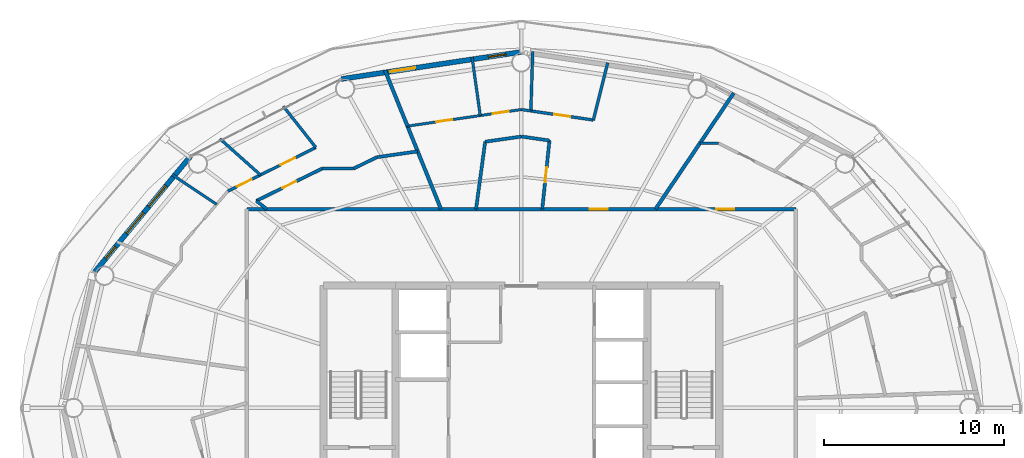
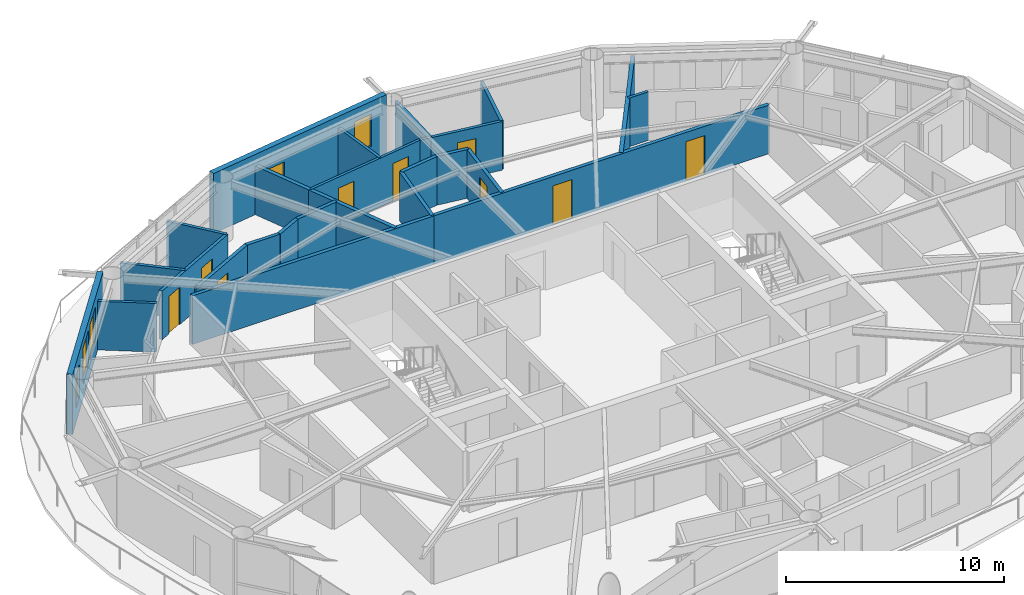
# One storey, part 19 of 23: 27 walls, 10 doors, 4 windows, 14 openings.
"""IFC4 building model written with IfcOpenShell, lengths in metres."""

from ifc_helpers import new_model, si_unit, direction, frame, frame_2d, origin, place, context, subcontext, project, spatial, rectangle, extrude, material, layer, layer_set, type_object, element, fill, save


model = new_model("IFC4")

# Units and contexts
model_context = context("Model", 3, precision=1e-05, world=origin(), true_north=direction((0.0, 1.0)))
body_context = subcontext(model_context, "Body", "Model", "MODEL_VIEW")
ifc_project = project(units=[si_unit("LENGTHUNIT", "METRE"), si_unit("AREAUNIT", "SQUARE_METRE"), si_unit("VOLUMEUNIT", "CUBIC_METRE"), si_unit("PLANEANGLEUNIT", "RADIAN"), si_unit("MASSUNIT", "GRAM", prefix="KILO")], contexts=[model_context])

# Site, building, storey
site_placement = place(None, origin())
site = spatial("IfcSite", under=ifc_project, at=site_placement, CompositionType="ELEMENT")
building_placement = place(site_placement, origin())
building = spatial("IfcBuilding", under=site, at=building_placement, Name="Sarneth Arch Tower", CompositionType="ELEMENT")
storey_placement = place(building_placement, frame((0.0, 0.0, 235.199951171875)))
storey = spatial("IfcBuildingStorey", under=building, at=storey_placement, Name="L60", CompositionType="ELEMENT", Elevation=235.199951171875)

# Wall
ifc_material_1 = material(Name="Double steel-stud corridor fire wall", Category="steel")
ifc_layer_1 = layer(ifc_material_1, 0.18994140625)
ifc_layer_set_1 = layer_set([ifc_layer_1], Name="Double steel-stud corridor fire wall")
wall_type_1 = type_object("IfcWallType", Name="WALL-CORR-190", PredefinedType="PARTITIONING", material=ifc_layer_set_1)
wall_1_placement = place(storey_placement, frame((32.75, 53.050048828125, 0.0), z_axis=(0.0, 0.0, 1.0), x_axis=(1.0, 0.0, 0.0)))
element("IfcWall", 1, at=wall_1_placement, inside=storey, type_object=wall_type_1, Name="L60 Interior partition W-L60-TP-009", PredefinedType="PARTITIONING", context=body_context, shape_type="SweptSolid", body=[
    extrude(rectangle(XDim=12.766357421875, YDim=0.18994140625, at=frame_2d((6.38330078125, 0.0))), origin(), (0.0, 0.0, 1.0), 2.719970703125),
])

# Wall, openings, doors
wall_2_placement = place(storey_placement, frame((45.45166015625, 53.050048828125, 0.0), z_axis=(0.0, 0.0, 1.0), x_axis=(1.0, 0.0, 0.0)))
wall_2 = element("IfcWall", 2, at=wall_2_placement, inside=storey, type_object=wall_type_1, Name="L60 Interior partition W-L60-TP-001", PredefinedType="PARTITIONING", context=body_context, shape_type="SweptSolid", body=[
    extrude(rectangle(XDim=17.79833984375, YDim=0.18994140625, at=frame_2d((8.899169921875, 0.0))), origin(), (0.0, 0.0, 1.0), 2.719970703125),
])
opening_1_placement = place(wall_2_placement, frame((13.380615234375, 0.0, 0.0)))
opening_1 = element("IfcOpeningElement", 3, at=opening_1_placement, cuts=wall_2, Name="Opening FD-08", PredefinedType="OPENING", context=body_context, shape_type="SweptSolid", body=[
    extrude(rectangle(XDim=1.0, YDim=2.199951171875, at=frame_2d((0.5, 1.10009765625))), frame((0.0, 0.10498046875, 0.0), z_axis=(0.0, -1.0, 0.0), x_axis=(1.0, 0.0, 0.0)), (0.0, 0.0, 1.0), 0.2099609375),
])
opening_2_placement = place(wall_2_placement, frame((6.35888671875, 0.0, 0.0)))
opening_2 = element("IfcOpeningElement", 4, at=opening_2_placement, cuts=wall_2, Name="Opening FD-08", PredefinedType="OPENING", context=body_context, shape_type="SweptSolid", body=[
    extrude(rectangle(XDim=1.0, YDim=2.199951171875, at=frame_2d((0.5, 1.10009765625))), frame((0.0, 0.10498046875, 0.0), z_axis=(0.0, -1.0, 0.0), x_axis=(1.0, 0.0, 0.0)), (0.0, 0.0, 1.0), 0.2099609375),
])
ifc_material_2 = material(Name="Hardwood timber acoustic fire door", Category="wood")
door_type_1 = type_object("IfcDoorType", Name="DR-FD60-1000", OperationType="SINGLE_SWING_LEFT", PredefinedType="DOOR", material=ifc_material_2)
door_1_placement = place(opening_1_placement, origin())
door_1 = element("IfcDoor", 5, at=door_1_placement, inside=storey, type_object=door_type_1, Name="L60 Interior door DR-L60-U1-ENT", OperationType="SINGLE_SWING_LEFT", OverallHeight=2.199951171875, OverallWidth=1.0, PredefinedType="DOOR", context=body_context, shape_type="SweptSolid", body=[
    extrude(rectangle(XDim=1.0, YDim=2.199951171875, at=frame_2d((0.5, 1.10009765625))), frame((0.0, 0.02490234375, 0.0), z_axis=(0.0, -1.0, 0.0), x_axis=(1.0, 0.0, 0.0)), (0.0, 0.0, 1.0), 0.050048828125),
])
fill(opening_1, door_1)
door_2_placement = place(opening_2_placement, origin())
door_2 = element("IfcDoor", 6, at=door_2_placement, inside=storey, type_object=door_type_1, Name="L60 Interior door DR-L60-U2-ENT", OperationType="SINGLE_SWING_RIGHT", OverallHeight=2.199951171875, OverallWidth=1.0, PredefinedType="DOOR", context=body_context, shape_type="SweptSolid", body=[
    extrude(rectangle(XDim=1.0, YDim=2.199951171875, at=frame_2d((0.5, 1.10009765625))), frame((0.0, 0.02490234375, 0.0), z_axis=(0.0, -1.0, 0.0), x_axis=(1.0, 0.0, 0.0)), (0.0, 0.0, 1.0), 0.050048828125),
])
fill(opening_2, door_2)

# Wall, openings, door, window
ifc_material_3 = material(Name="Extruded terracotta rainscreen on Concrete C40/50 backing", Category="masonry")
ifc_layer_2 = layer(ifc_material_3, 0.280029296875)
ifc_layer_set_2 = layer_set([ifc_layer_2], Name="Extruded terracotta rainscreen on Concrete C40/50 backing")
wall_type_2 = type_object("IfcWallType", Name="WALL-EXT-TERRA-280", PredefinedType="SOLIDWALL", material=ifc_layer_set_2)
wall_3_placement = place(storey_placement, frame((48.0, 61.780029296875, 0.0), z_axis=(0.0, 0.0, 1.0), x_axis=(-0.988882522213, -0.148698881169, 0.0)))
wall_3 = element("IfcWall", 7, at=wall_3_placement, inside=storey, type_object=wall_type_2, Name="L60 Terracotta perimeter wall 05", PredefinedType="SOLIDWALL", context=body_context, shape_type="SweptSolid", body=[
    extrude(rectangle(XDim=10.125244140625, YDim=0.280029296875, at=frame_2d((5.0625, 0.0))), origin(), (0.0, 0.0, 1.0), 3.360107421875),
])
opening_3_placement = place(wall_3_placement, frame((5.966552734375, 0.0, 0.0)))
opening_3 = element("IfcOpeningElement", 8, at=opening_3_placement, cuts=wall_3, Name="Opening BD-2", PredefinedType="OPENING", context=body_context, shape_type="SweptSolid", body=[
    extrude(rectangle(XDim=1.39990234375, YDim=2.199951171875, at=frame_2d((0.699951171875, 1.10009765625))), frame((0.0, 0.14990234375, 0.0), z_axis=(0.0, -1.0, 0.0), x_axis=(1.0, 0.0, 0.0)), (0.0, 0.0, 1.0), 0.300048828125),
])
opening_4_placement = place(wall_3_placement, frame((0.8662109375, 0.0, 0.85009765625)))
opening_4 = element("IfcOpeningElement", 9, at=opening_4_placement, cuts=wall_3, Name="Opening W-11", PredefinedType="OPENING", context=body_context, shape_type="SweptSolid", body=[
    extrude(rectangle(XDim=1.0, YDim=1.800048828125, at=frame_2d((0.5, 0.89990234375))), frame((0.0, 0.14990234375, 0.0), z_axis=(0.0, -1.0, 0.0), x_axis=(1.0, 0.0, 0.0)), (0.0, 0.0, 1.0), 0.300048828125),
])
ifc_material_4 = material(Name="Thermally broken Aluminium 6063-T6 and laminated safety glass", Category="aluminium")
door_type_2 = type_object("IfcDoorType", Name="DR-BALC-GLZ-1400", OperationType="SINGLE_SWING_LEFT", PredefinedType="DOOR", material=ifc_material_4)
door_3_placement = place(opening_3_placement, origin())
door_3 = element("IfcDoor", 10, at=door_3_placement, inside=storey, type_object=door_type_2, Name="L60 Balcony glazed door 05", OperationType="SINGLE_SWING_LEFT", OverallHeight=2.199951171875, OverallWidth=1.39990234375, PredefinedType="DOOR", context=body_context, shape_type="SweptSolid", body=[
    extrude(rectangle(XDim=1.39990234375, YDim=2.199951171875, at=frame_2d((0.699951171875, 1.10009765625))), frame((0.0, 0.02490234375, 0.0), z_axis=(0.0, -1.0, 0.0), x_axis=(1.0, 0.0, 0.0)), (0.0, 0.0, 1.0), 0.050048828125),
])
fill(opening_3, door_3)
ifc_material_5 = material(Name="Thermally broken Aluminium 6063-T6 and low-e laminated IGU", Category="aluminium")
window_type_1 = type_object("IfcWindowType", Name="WIN-TWR-1000x1800", PartitioningType="SINGLE_PANEL", PredefinedType="WINDOW", material=ifc_material_5)
window_1_placement = place(opening_4_placement, origin())
window_1 = element("IfcWindow", 11, at=window_1_placement, inside=storey, type_object=window_type_1, Name="L60 Dwelling bedroom window 02", OverallHeight=1.800048828125, OverallWidth=1.0, PartitioningType="SINGLE_PANEL", PredefinedType="WINDOW", context=body_context, shape_type="SweptSolid", body=[
    extrude(rectangle(XDim=1.0, YDim=1.800048828125, at=frame_2d((0.5, 0.89990234375))), frame((0.0, 0.030029296875, 0.0), z_axis=(0.0, -1.0, 0.0), x_axis=(1.0, 0.0, 0.0)), (0.0, 0.0, 1.0), 0.06005859375),
])
fill(opening_4, window_1)

# Wall, openings, windows
wall_4_placement = place(storey_placement, frame((29.617431640625, 55.986572265625, 0.0), z_axis=(0.0, 0.0, 1.0), x_axis=(-0.63761509934, -0.770355103243, 0.0)))
wall_4 = element("IfcWall", 12, at=wall_4_placement, inside=storey, type_object=wall_type_2, Name="L60 Terracotta perimeter wall 07", PredefinedType="SOLIDWALL", context=body_context, shape_type="SweptSolid", body=[
    extrude(rectangle(XDim=8.329833984375, YDim=0.280029296875, at=frame_2d((4.1650390625, 0.0))), origin(), (0.0, 0.0, 1.0), 3.360107421875),
])
opening_5_placement = place(wall_4_placement, frame((2.131103515625, 0.0, 0.85009765625)))
opening_5 = element("IfcOpeningElement", 13, at=opening_5_placement, cuts=wall_4, Name="Opening W-06", PredefinedType="OPENING", context=body_context, shape_type="SweptSolid", body=[
    extrude(rectangle(XDim=1.5, YDim=2.0, at=frame_2d((0.75, 1.0))), frame((0.0, 0.14990234375, 0.0), z_axis=(0.0, -1.0, 0.0), x_axis=(1.0, 0.0, 0.0)), (0.0, 0.0, 1.0), 0.300048828125),
])
opening_6_placement = place(wall_4_placement, frame((4.075439453125, 0.0, 0.85009765625)))
opening_6 = element("IfcOpeningElement", 14, at=opening_6_placement, cuts=wall_4, Name="Opening W-06", PredefinedType="OPENING", context=body_context, shape_type="SweptSolid", body=[
    extrude(rectangle(XDim=1.5, YDim=2.0, at=frame_2d((0.75, 1.0))), frame((0.0, 0.14990234375, 0.0), z_axis=(0.0, -1.0, 0.0), x_axis=(1.0, 0.0, 0.0)), (0.0, 0.0, 1.0), 0.300048828125),
])
opening_7_placement = place(wall_4_placement, frame((6.536376953125, 0.0, 0.85009765625)))
opening_7 = element("IfcOpeningElement", 15, at=opening_7_placement, cuts=wall_4, Name="Opening W-12", PredefinedType="OPENING", context=body_context, shape_type="SweptSolid", body=[
    extrude(rectangle(XDim=0.85009765625, YDim=1.800048828125, at=frame_2d((0.425048828125, 0.89990234375))), frame((0.0, 0.14990234375, 0.0), z_axis=(0.0, -1.0, 0.0), x_axis=(1.0, 0.0, 0.0)), (0.0, 0.0, 1.0), 0.300048828125),
])
ifc_material_6 = material(Name="Thermally broken Aluminium 6063-T6 and low-e laminated IGU", Category="aluminium")
window_type_2 = type_object("IfcWindowType", Name="WIN-TWR-1500x2000", PartitioningType="SINGLE_PANEL", PredefinedType="WINDOW", material=ifc_material_6)
window_2_placement = place(opening_5_placement, origin())
window_2 = element("IfcWindow", 16, at=window_2_placement, inside=storey, type_object=window_type_2, Name="L60 Exterior window 07A", OverallHeight=2.0, OverallWidth=1.5, PartitioningType="SINGLE_PANEL", PredefinedType="WINDOW", context=body_context, shape_type="SweptSolid", body=[
    extrude(rectangle(XDim=1.5, YDim=2.0, at=frame_2d((0.75, 1.0))), frame((0.0, 0.030029296875, 0.0), z_axis=(0.0, -1.0, 0.0), x_axis=(1.0, 0.0, 0.0)), (0.0, 0.0, 1.0), 0.06005859375),
])
fill(opening_5, window_2)
window_3_placement = place(opening_6_placement, origin())
window_3 = element("IfcWindow", 17, at=window_3_placement, inside=storey, type_object=window_type_2, Name="L60 Exterior window 07B", OverallHeight=2.0, OverallWidth=1.5, PartitioningType="SINGLE_PANEL", PredefinedType="WINDOW", context=body_context, shape_type="SweptSolid", body=[
    extrude(rectangle(XDim=1.5, YDim=2.0, at=frame_2d((0.75, 1.0))), frame((0.0, 0.030029296875, 0.0), z_axis=(0.0, -1.0, 0.0), x_axis=(1.0, 0.0, 0.0)), (0.0, 0.0, 1.0), 0.06005859375),
])
fill(opening_6, window_3)
ifc_material_7 = material(Name="Thermally broken Aluminium 6063-T6 and low-e laminated IGU", Category="aluminium")
window_type_3 = type_object("IfcWindowType", Name="WIN-TWR-850x1800", PartitioningType="SINGLE_PANEL", PredefinedType="WINDOW", material=ifc_material_7)
window_4_placement = place(opening_7_placement, origin())
window_4 = element("IfcWindow", 18, at=window_4_placement, inside=storey, type_object=window_type_3, Name="L60 Dwelling bedroom window 03", OverallHeight=1.800048828125, OverallWidth=0.85009765625, PartitioningType="SINGLE_PANEL", PredefinedType="WINDOW", context=body_context, shape_type="SweptSolid", body=[
    extrude(rectangle(XDim=0.85009765625, YDim=1.800048828125, at=frame_2d((0.425048828125, 0.89990234375))), frame((0.0, 0.030029296875, 0.0), z_axis=(0.0, -1.0, 0.0), x_axis=(1.0, 0.0, 0.0)), (0.0, 0.0, 1.0), 0.06005859375),
])
fill(opening_7, window_4)

# Wall, openings, doors
ifc_material_8 = material(Name="Apartment internal stud partition", Category="gypsum")
ifc_layer_3 = layer(ifc_material_8, 0.139892578125)
ifc_layer_set_3 = layer_set([ifc_layer_3], Name="Apartment internal stud partition")
wall_type_3 = type_object("IfcWallType", Name="WALL-PART-140", PredefinedType="PARTITIONING", material=ifc_layer_set_3)
wall_5_placement = place(storey_placement, frame((41.673828125, 57.657470703125, 0.0), z_axis=(0.0, 0.0, 1.0), x_axis=(0.989537524877, 0.144275732054, 0.0)))
wall_5 = element("IfcWall", 19, at=wall_5_placement, inside=storey, type_object=wall_type_3, Name="L60 Interior partition W-L60-TP-048", PredefinedType="PARTITIONING", context=body_context, shape_type="SweptSolid", body=[
    extrude(rectangle(XDim=6.39306640625, YDim=0.139892578125, at=frame_2d((3.196533203125, 0.0))), origin(), (0.0, 0.0, 1.0), 2.719970703125),
])
opening_8_placement = place(wall_5_placement, frame((1.608642578125, 0.0, 0.0)))
opening_8 = element("IfcOpeningElement", 20, at=opening_8_placement, cuts=wall_5, Name="Opening ID-01", PredefinedType="OPENING", context=body_context, shape_type="SweptSolid", body=[
    extrude(rectangle(XDim=0.89990234375, YDim=2.10009765625, at=frame_2d((0.449951171875, 1.050048828125))), frame((0.0, 0.079833984375, 0.0), z_axis=(0.0, -1.0, 0.0), x_axis=(1.0, 0.0, 0.0)), (0.0, 0.0, 1.0), 0.159912109375),
])
opening_9_placement = place(wall_5_placement, frame((4.789306640625, 0.0, 0.0)))
opening_9 = element("IfcOpeningElement", 21, at=opening_9_placement, cuts=wall_5, Name="Opening ID-01", PredefinedType="OPENING", context=body_context, shape_type="SweptSolid", body=[
    extrude(rectangle(XDim=0.89990234375, YDim=2.10009765625, at=frame_2d((0.449951171875, 1.050048828125))), frame((0.0, 0.079833984375, 0.0), z_axis=(0.0, -1.0, 0.0), x_axis=(1.0, 0.0, 0.0)), (0.0, 0.0, 1.0), 0.159912109375),
])
ifc_material_9 = material(Name="Engineered hardwood flush door", Category="wood")
door_type_3 = type_object("IfcDoorType", Name="DR-INT-900", OperationType="SINGLE_SWING_LEFT", PredefinedType="DOOR", material=ifc_material_9)
door_4_placement = place(opening_8_placement, origin())
door_4 = element("IfcDoor", 22, at=door_4_placement, inside=storey, type_object=door_type_3, Name="L60 Interior door DR-L60-U2-BED2", OperationType="SINGLE_SWING_RIGHT", OverallHeight=2.10009765625, OverallWidth=0.89990234375, PredefinedType="DOOR", context=body_context, shape_type="SweptSolid", body=[
    extrude(rectangle(XDim=0.89990234375, YDim=2.10009765625, at=frame_2d((0.449951171875, 1.050048828125))), frame((0.0, 0.02490234375, 0.0), z_axis=(0.0, -1.0, 0.0), x_axis=(1.0, 0.0, 0.0)), (0.0, 0.0, 1.0), 0.050048828125),
])
fill(opening_8, door_4)
door_5_placement = place(opening_9_placement, origin())
door_5 = element("IfcDoor", 23, at=door_5_placement, inside=storey, type_object=door_type_3, Name="L60 Interior door DR-L60-U2-BED1", OperationType="SINGLE_SWING_RIGHT", OverallHeight=2.10009765625, OverallWidth=0.89990234375, PredefinedType="DOOR", context=body_context, shape_type="SweptSolid", body=[
    extrude(rectangle(XDim=0.89990234375, YDim=2.10009765625, at=frame_2d((0.449951171875, 1.050048828125))), frame((0.0, 0.02490234375, 0.0), z_axis=(0.0, -1.0, 0.0), x_axis=(1.0, 0.0, 0.0)), (0.0, 0.0, 1.0), 0.050048828125),
])
fill(opening_9, door_5)

# Walls
ifc_material_10 = material(Name="Acoustic gypsum stud partition", Category="gypsum")
ifc_layer_4 = layer(ifc_material_10, 0.14990234375)
ifc_layer_set_4 = layer_set([ifc_layer_4], Name="Acoustic gypsum stud partition")
wall_type_4 = type_object("IfcWallType", Name="WALL-PART-150", PredefinedType="PARTITIONING", material=ifc_layer_set_4)
wall_6_placement = place(storey_placement, frame((45.716552734375, 58.2470703125, 0.0), z_axis=(0.0, 0.0, 1.0), x_axis=(-0.139134872395, 0.990273440664, 0.0)))
element("IfcWall", 24, at=wall_6_placement, inside=storey, type_object=wall_type_4, Name="L60 Interior partition W-L60-TP-052", PredefinedType="PARTITIONING", context=body_context, shape_type="SweptSolid", body=[
    extrude(rectangle(XDim=3.274169921875, YDim=0.14990234375, at=frame_2d((1.63720703125, 0.0))), origin(), (0.0, 0.0, 1.0), 2.719970703125),
])
wall_7_placement = place(storey_placement, frame((28.609375, 54.955810546875, 0.0), z_axis=(0.0, 0.0, 1.0), x_axis=(0.831478101563, -0.555557527733, 0.0)))
element("IfcWall", 25, at=wall_7_placement, inside=storey, type_object=wall_type_4, Name="L60 Interior partition W-L60-TP-070", PredefinedType="PARTITIONING", context=body_context, shape_type="SweptSolid", body=[
    extrude(rectangle(XDim=2.956298828125, YDim=0.14990234375, at=frame_2d((1.47802734375, 0.0))), origin(), (0.0, 0.0, 1.0), 2.719970703125),
])
wall_8_placement = place(storey_placement, frame((57.915283203125, 56.699951171875, 0.0), z_axis=(0.0, 0.0, 1.0), x_axis=(1.0, 0.0, 0.0)))
element("IfcWall", 26, at=wall_8_placement, inside=storey, type_object=wall_type_4, Name="L60 Interior partition W-L60-TP-030", PredefinedType="PARTITIONING", context=body_context, shape_type="SweptSolid", body=[
    extrude(rectangle(XDim=1.048583984375, YDim=0.14990234375, at=frame_2d((0.5244140625, 0.0))), origin(), (0.0, 0.0, 1.0), 2.719970703125),
])
wall_9_placement = place(storey_placement, frame((48.527099609375, 58.503173828125, 0.0), z_axis=(0.0, 0.0, 1.0), x_axis=(-0.989523434522, 0.144372339914, 0.0)))
element("IfcWall", 27, at=wall_9_placement, inside=storey, type_object=wall_type_4, Name="L60 Interior partition W-L60-TP-046", PredefinedType="PARTITIONING", context=body_context, shape_type="SweptSolid", body=[
    extrude(rectangle(XDim=0.53271484375, YDim=0.14990234375, at=frame_2d((0.266357421875, 0.0))), origin(), (0.0, 0.0, 1.0), 2.719970703125),
])

# Wall, opening, door
ifc_material_11 = material(Name="Kitchen wet service chase wall", Category="gypsum")
ifc_layer_5 = layer(ifc_material_11, 0.159912109375)
ifc_layer_set_5 = layer_set([ifc_layer_5], Name="Kitchen wet service chase wall")
wall_type_5 = type_object("IfcWallType", Name="WALL-PLUMB-160", PredefinedType="PLUMBINGWALL", material=ifc_layer_set_5)
wall_10_placement = place(storey_placement, frame((52.0009765625, 57.99658203125, 0.0), z_axis=(0.0, 0.0, 1.0), x_axis=(-0.989533601714, 0.144302637118, 0.0)))
wall_10 = element("IfcWall", 28, at=wall_10_placement, inside=storey, type_object=wall_type_5, Name="L60 Interior partition W-L60-TP-041", PredefinedType="PLUMBINGWALL", context=body_context, shape_type="SweptSolid", body=[
    extrude(rectangle(XDim=3.5107421875, YDim=0.159912109375, at=frame_2d((1.75537109375, 0.0))), origin(), (0.0, 0.0, 1.0), 2.719970703125),
])
opening_10_placement = place(wall_10_placement, frame((1.305419921875, 0.0, 0.0)))
opening_10 = element("IfcOpeningElement", 29, at=opening_10_placement, cuts=wall_10, Name="Opening ID-01", PredefinedType="OPENING", context=body_context, shape_type="SweptSolid", body=[
    extrude(rectangle(XDim=0.89990234375, YDim=2.10009765625, at=frame_2d((0.449951171875, 1.050048828125))), frame((0.0, 0.08984375, 0.0), z_axis=(0.0, -1.0, 0.0), x_axis=(1.0, 0.0, 0.0)), (0.0, 0.0, 1.0), 0.179931640625),
])
door_6_placement = place(opening_10_placement, origin())
door_6 = element("IfcDoor", 30, at=door_6_placement, inside=storey, type_object=door_type_3, Name="L60 Interior door DR-L60-U2-KIT", OperationType="SINGLE_SWING_RIGHT", OverallHeight=2.10009765625, OverallWidth=0.89990234375, PredefinedType="DOOR", context=body_context, shape_type="SweptSolid", body=[
    extrude(rectangle(XDim=0.89990234375, YDim=2.10009765625, at=frame_2d((0.449951171875, 1.050048828125))), frame((0.0, 0.02490234375, 0.0), z_axis=(0.0, -1.0, 0.0), x_axis=(1.0, 0.0, 0.0)), (0.0, 0.0, 1.0), 0.050048828125),
])
fill(opening_10, door_6)

# Wall, openings, doors
wall_11_placement = place(storey_placement, frame((31.688720703125, 54.0419921875, 0.0), z_axis=(0.0, 0.0, 1.0), x_axis=(0.895479575413, 0.445102606168, 0.0)))
wall_11 = element("IfcWall", 31, at=wall_11_placement, inside=storey, type_object=wall_type_5, Name="L60 Interior partition W-L60-TP-056", PredefinedType="PLUMBINGWALL", context=body_context, shape_type="SweptSolid", body=[
    extrude(rectangle(XDim=5.4619140625, YDim=0.159912109375, at=frame_2d((2.73095703125, 0.0))), origin(), (0.0, 0.0, 1.0), 2.719970703125),
])
opening_11_placement = place(wall_11_placement, frame((3.277587890625, 0.0, 0.0)))
opening_11 = element("IfcOpeningElement", 32, at=opening_11_placement, cuts=wall_11, Name="Opening ID-01", PredefinedType="OPENING", context=body_context, shape_type="SweptSolid", body=[
    extrude(rectangle(XDim=0.89990234375, YDim=2.10009765625, at=frame_2d((0.449951171875, 1.050048828125))), frame((0.0, 0.08984375, 0.0), z_axis=(0.0, -1.0, 0.0), x_axis=(1.0, 0.0, 0.0)), (0.0, 0.0, 1.0), 0.179931640625),
])
opening_12_placement = place(wall_11_placement, frame((0.5810546875, 0.0, 0.0)))
opening_12 = element("IfcOpeningElement", 33, at=opening_12_placement, cuts=wall_11, Name="Opening ID-01", PredefinedType="OPENING", context=body_context, shape_type="SweptSolid", body=[
    extrude(rectangle(XDim=0.89990234375, YDim=2.10009765625, at=frame_2d((0.449951171875, 1.050048828125))), frame((0.0, 0.08984375, 0.0), z_axis=(0.0, -1.0, 0.0), x_axis=(1.0, 0.0, 0.0)), (0.0, 0.0, 1.0), 0.179931640625),
])
door_7_placement = place(opening_11_placement, origin())
door_7 = element("IfcDoor", 34, at=door_7_placement, inside=storey, type_object=door_type_3, Name="L60 Interior door DR-L60-U3-KIT", OperationType="SINGLE_SWING_RIGHT", OverallHeight=2.10009765625, OverallWidth=0.89990234375, PredefinedType="DOOR", context=body_context, shape_type="SweptSolid", body=[
    extrude(rectangle(XDim=0.89990234375, YDim=2.10009765625, at=frame_2d((0.449951171875, 1.050048828125))), frame((0.0, 0.02490234375, 0.0), z_axis=(0.0, -1.0, 0.0), x_axis=(1.0, 0.0, 0.0)), (0.0, 0.0, 1.0), 0.050048828125),
])
fill(opening_11, door_7)
door_8_placement = place(opening_12_placement, origin())
door_8 = element("IfcDoor", 35, at=door_8_placement, inside=storey, type_object=door_type_3, Name="L60 Interior door DR-L60-U3-STD", OperationType="SINGLE_SWING_RIGHT", OverallHeight=2.10009765625, OverallWidth=0.89990234375, PredefinedType="DOOR", context=body_context, shape_type="SweptSolid", body=[
    extrude(rectangle(XDim=0.89990234375, YDim=2.10009765625, at=frame_2d((0.449951171875, 1.050048828125))), frame((0.0, 0.02490234375, 0.0), z_axis=(0.0, -1.0, 0.0), x_axis=(1.0, 0.0, 0.0)), (0.0, 0.0, 1.0), 0.050048828125),
])
fill(opening_12, door_8)

# Walls
wall_12_placement = place(storey_placement, frame((48.6328125, 61.805419921875, 0.0), z_axis=(0.0, 0.0, 1.0), x_axis=(-0.031996030035, -0.999487995957, 0.0)))
element("IfcWall", 36, at=wall_12_placement, inside=storey, type_object=wall_type_5, Name="L60 Interior partition W-L60-TP-051", PredefinedType="PLUMBINGWALL", context=body_context, shape_type="SweptSolid", body=[
    extrude(rectangle(XDim=3.303955078125, YDim=0.159912109375, at=frame_2d((1.65185546875, 0.0))), origin(), (0.0, 0.0, 1.0), 2.719970703125),
])
wall_13_placement = place(storey_placement, frame((52.797119140625, 61.179443359375, 0.0), z_axis=(0.0, 0.0, 1.0), x_axis=(-0.242658184372, -0.970111852086, 0.0)))
element("IfcWall", 37, at=wall_13_placement, inside=storey, type_object=wall_type_5, Name="L60 Interior partition W-L60-TP-040", PredefinedType="PLUMBINGWALL", context=body_context, shape_type="SweptSolid", body=[
    extrude(rectangle(XDim=3.281005859375, YDim=0.159912109375, at=frame_2d((1.640625, 0.0))), origin(), (0.0, 0.0, 1.0), 2.719970703125),
])
wall_14_placement = place(storey_placement, frame((33.504638671875, 54.944580078125, 0.0), z_axis=(0.0, 0.0, 1.0), x_axis=(-0.745914664094, 0.66604152565, 0.0)))
element("IfcWall", 38, at=wall_14_placement, inside=storey, type_object=wall_type_5, Name="L60 Interior partition W-L60-TP-069", PredefinedType="PLUMBINGWALL", context=body_context, shape_type="SweptSolid", body=[
    extrude(rectangle(XDim=3.013916015625, YDim=0.159912109375, at=frame_2d((1.5068359375, 0.0))), origin(), (0.0, 0.0, 1.0), 2.719970703125),
])
wall_15_placement = place(storey_placement, frame((36.579833984375, 56.47314453125, 0.0), z_axis=(0.0, 0.0, 1.0), x_axis=(-0.619378047354, 0.785092882694, 0.0)))
element("IfcWall", 39, at=wall_15_placement, inside=storey, type_object=wall_type_5, Name="L60 Interior partition W-L60-TP-057", PredefinedType="PLUMBINGWALL", context=body_context, shape_type="SweptSolid", body=[
    extrude(rectangle(XDim=2.9140625, YDim=0.159912109375, at=frame_2d((1.45703125, 0.0))), origin(), (0.0, 0.0, 1.0), 2.719970703125),
])

# Wall, opening, door
ifc_material_12 = material(Name="Moisture-resistant plumbing chase wall", Category="gypsum")
ifc_layer_6 = layer(ifc_material_12, 0.179931640625)
ifc_layer_set_6 = layer_set([ifc_layer_6], Name="Moisture-resistant plumbing chase wall")
wall_type_6 = type_object("IfcWallType", Name="WALL-PLUMB-180", PredefinedType="PLUMBINGWALL", material=ifc_layer_set_6)
wall_16_placement = place(storey_placement, frame((33.273193359375, 53.505615234375, 0.0), z_axis=(0.0, 0.0, 1.0), x_axis=(0.89778136281, 0.440441397454, 0.0)))
wall_16 = element("IfcWall", 40, at=wall_16_placement, inside=storey, type_object=wall_type_6, Name="L60 Interior partition W-L60-TP-059", PredefinedType="PLUMBINGWALL", context=body_context, shape_type="SweptSolid", body=[
    extrude(rectangle(XDim=4.07421875, YDim=0.179931640625, at=frame_2d((2.037109375, 0.0))), origin(), (0.0, 0.0, 1.0), 2.719970703125),
])
opening_13_placement = place(wall_16_placement, frame((1.612060546875, 0.0, 0.0)))
opening_13 = element("IfcOpeningElement", 41, at=opening_13_placement, cuts=wall_16, Name="Opening ID-02", PredefinedType="OPENING", context=body_context, shape_type="SweptSolid", body=[
    extrude(rectangle(XDim=0.85009765625, YDim=2.10009765625, at=frame_2d((0.425048828125, 1.050048828125))), frame((0.0, 0.099853515625, 0.0), z_axis=(0.0, -1.0, 0.0), x_axis=(1.0, 0.0, 0.0)), (0.0, 0.0, 1.0), 0.199951171875),
])
ifc_material_13 = material(Name="Moisture-resistant bathroom timber door", Category="wood")
door_type_4 = type_object("IfcDoorType", Name="DR-INT-850", OperationType="SINGLE_SWING_RIGHT", PredefinedType="DOOR", material=ifc_material_13)
door_9_placement = place(opening_13_placement, origin())
door_9 = element("IfcDoor", 42, at=door_9_placement, inside=storey, type_object=door_type_4, Name="L60 Interior door DR-L60-U3-BATH", OperationType="SINGLE_SWING_RIGHT", OverallHeight=2.10009765625, OverallWidth=0.85009765625, PredefinedType="DOOR", context=body_context, shape_type="SweptSolid", body=[
    extrude(rectangle(XDim=0.85009765625, YDim=2.10009765625, at=frame_2d((0.425048828125, 1.050048828125))), frame((0.0, 0.02490234375, 0.0), z_axis=(0.0, -1.0, 0.0), x_axis=(1.0, 0.0, 0.0)), (0.0, 0.0, 1.0), 0.050048828125),
])
fill(opening_13, door_9)

wall_17_placement = place(storey_placement, frame((49.161376953125, 53.050048828125, 0.0), z_axis=(0.0, 0.0, 1.0), x_axis=(0.10454201208, 0.994520471237, 0.0)))
wall_17 = element("IfcWall", 43, at=wall_17_placement, inside=storey, type_object=wall_type_6, Name="L60 Interior partition W-L60-TP-042", PredefinedType="PLUMBINGWALL", context=body_context, shape_type="SweptSolid", body=[
    extrude(rectangle(XDim=3.82763671875, YDim=0.179931640625, at=frame_2d((1.913818359375, 0.0))), origin(), (0.0, 0.0, 1.0), 2.719970703125),
])
opening_14_placement = place(wall_17_placement, frame((1.48876953125, 0.0, 0.0)))
opening_14 = element("IfcOpeningElement", 44, at=opening_14_placement, cuts=wall_17, Name="Opening ID-02", PredefinedType="OPENING", context=body_context, shape_type="SweptSolid", body=[
    extrude(rectangle(XDim=0.85009765625, YDim=2.10009765625, at=frame_2d((0.425048828125, 1.050048828125))), frame((0.0, 0.099853515625, 0.0), z_axis=(0.0, -1.0, 0.0), x_axis=(1.0, 0.0, 0.0)), (0.0, 0.0, 1.0), 0.199951171875),
])
door_10_placement = place(opening_14_placement, origin())
door_10 = element("IfcDoor", 45, at=door_10_placement, inside=storey, type_object=door_type_4, Name="L60 Interior door DR-L60-U2-BATH", OperationType="SINGLE_SWING_RIGHT", OverallHeight=2.10009765625, OverallWidth=0.85009765625, PredefinedType="DOOR", context=body_context, shape_type="SweptSolid", body=[
    extrude(rectangle(XDim=0.85009765625, YDim=2.10009765625, at=frame_2d((0.425048828125, 1.050048828125))), frame((0.0, 0.02490234375, 0.0), z_axis=(0.0, -1.0, 0.0), x_axis=(1.0, 0.0, 0.0)), (0.0, 0.0, 1.0), 0.050048828125),
])
fill(opening_14, door_10)

# Walls
wall_18_placement = place(storey_placement, frame((45.989990234375, 56.79248046875, 0.0), z_axis=(0.0, 0.0, 1.0), x_axis=(-0.134013985284, -0.990979440628, 0.0)))
element("IfcWall", 46, at=wall_18_placement, inside=storey, type_object=wall_type_6, Name="L60 Interior partition W-L60-TP-045", PredefinedType="PLUMBINGWALL", context=body_context, shape_type="SweptSolid", body=[
    extrude(rectangle(XDim=3.776611328125, YDim=0.179931640625, at=frame_2d((1.88818359375, 0.0))), origin(), (0.0, 0.0, 1.0), 2.719970703125),
])
wall_19_placement = place(storey_placement, frame((39.97607421875, 55.93212890625, 0.0), z_axis=(0.0, 0.0, 1.0), x_axis=(0.989917445937, 0.141645509032, 0.0)))
element("IfcWall", 47, at=wall_19_placement, inside=storey, type_object=wall_type_6, Name="L60 Interior partition W-L60-TP-062", PredefinedType="PLUMBINGWALL", context=body_context, shape_type="SweptSolid", body=[
    extrude(rectangle(XDim=2.287109375, YDim=0.179931640625, at=frame_2d((1.1435546875, 0.0))), origin(), (0.0, 0.0, 1.0), 2.719970703125),
])
wall_20_placement = place(storey_placement, frame((48.0, 57.080078125, 0.0), z_axis=(0.0, 0.0, 1.0), x_axis=(-0.989918207634, -0.141640185666, 0.0)))
element("IfcWall", 48, at=wall_20_placement, inside=storey, type_object=wall_type_6, Name="L60 Interior partition W-L60-TP-044", PredefinedType="PLUMBINGWALL", context=body_context, shape_type="SweptSolid", body=[
    extrude(rectangle(XDim=2.030517578125, YDim=0.179931640625, at=frame_2d((1.01513671875, 0.0))), origin(), (0.0, 0.0, 1.0), 2.719970703125),
])
wall_21_placement = place(storey_placement, frame((36.930908203125, 55.300048828125, 0.0), z_axis=(0.0, 0.0, 1.0), x_axis=(1.0, 0.0, 0.0)))
element("IfcWall", 49, at=wall_21_placement, inside=storey, type_object=wall_type_6, Name="L60 Interior partition W-L60-TP-060", PredefinedType="PLUMBINGWALL", context=body_context, shape_type="SweptSolid", body=[
    extrude(rectangle(XDim=1.748291015625, YDim=0.179931640625, at=frame_2d((0.8740234375, 0.0))), origin(), (0.0, 0.0, 1.0), 2.719970703125),
])
wall_22_placement = place(storey_placement, frame((49.5615234375, 56.856689453125, 0.0), z_axis=(0.0, 0.0, 1.0), x_axis=(-0.989921615496, 0.141616366194, 0.0)))
element("IfcWall", 50, at=wall_22_placement, inside=storey, type_object=wall_type_6, Name="L60 Interior partition W-L60-TP-043", PredefinedType="PLUMBINGWALL", context=body_context, shape_type="SweptSolid", body=[
    extrude(rectangle(XDim=1.577392578125, YDim=0.179931640625, at=frame_2d((0.78857421875, 0.0))), origin(), (0.0, 0.0, 1.0), 2.719970703125),
])
wall_23_placement = place(storey_placement, frame((38.67919921875, 55.300048828125, 0.0), z_axis=(0.0, 0.0, 1.0), x_axis=(0.898916394035, 0.438120207861, 0.0)))
element("IfcWall", 51, at=wall_23_placement, inside=storey, type_object=wall_type_6, Name="L60 Interior partition W-L60-TP-061", PredefinedType="PLUMBINGWALL", context=body_context, shape_type="SweptSolid", body=[
    extrude(rectangle(XDim=1.442626953125, YDim=0.179931640625, at=frame_2d((0.72119140625, 0.0))), origin(), (0.0, 0.0, 1.0), 2.719970703125),
])
wall_24_placement = place(storey_placement, frame((33.856689453125, 53.050048828125, 0.0), z_axis=(0.0, 0.0, 1.0), x_axis=(-0.788214334349, 0.615400815019, 0.0)))
element("IfcWall", 52, at=wall_24_placement, inside=storey, type_object=wall_type_6, Name="L60 Interior partition W-L60-TP-058", PredefinedType="PLUMBINGWALL", context=body_context, shape_type="SweptSolid", body=[
    extrude(rectangle(XDim=0.740234375, YDim=0.179931640625, at=frame_2d((0.3701171875, 0.0))), origin(), (0.0, 0.0, 1.0), 2.719970703125),
])
ifc_material_14 = material(Name="Double steel-stud acoustic drywall", Category="steel")
ifc_layer_7 = layer(ifc_material_14, 0.199951171875)
ifc_layer_set_7 = layer_set([ifc_layer_7], Name="Double steel-stud acoustic drywall")
wall_type_7 = type_object("IfcWallType", Name="WALL-UNIT-200", PredefinedType="PARTITIONING", material=ifc_layer_set_7)
wall_25_placement = place(storey_placement, frame((59.79931640625, 59.492919921875, 0.0), z_axis=(0.0, 0.0, 1.0), x_axis=(-0.559208454265, -0.8290270832, 0.0)))
element("IfcWall", 53, at=wall_25_placement, inside=storey, type_object=wall_type_7, Name="L60 Interior partition W-L60-TP-032", PredefinedType="PARTITIONING", context=body_context, shape_type="SweptSolid", body=[
    extrude(rectangle(XDim=7.771484375, YDim=0.199951171875, at=frame_2d((3.8857421875, 0.0))), origin(), (0.0, 0.0, 1.0), 2.719970703125),
])
wall_26_placement = place(storey_placement, frame((41.674072265625, 57.657470703125, 0.0), z_axis=(0.0, 0.0, 1.0), x_axis=(0.374573524941, -0.927197214412, 0.0)))
element("IfcWall", 54, at=wall_26_placement, inside=storey, type_object=wall_type_7, Name="L60 Interior partition W-L60-TP-050", PredefinedType="PARTITIONING", context=body_context, shape_type="SweptSolid", body=[
    extrude(rectangle(XDim=4.96923828125, YDim=0.199951171875, at=frame_2d((2.484619140625, 0.0))), origin(), (0.0, 0.0, 1.0), 2.719970703125),
])
wall_27_placement = place(storey_placement, frame((41.673828125, 57.657470703125, 0.0), z_axis=(0.0, 0.0, 1.0), x_axis=(-0.374572886439, 0.927197472357, 0.0)))
element("IfcWall", 55, at=wall_27_placement, inside=storey, type_object=wall_type_7, Name="L60 Interior partition W-L60-TP-053", PredefinedType="PARTITIONING", context=body_context, shape_type="SweptSolid", body=[
    extrude(rectangle(XDim=3.34423828125, YDim=0.199951171875, at=frame_2d((1.672119140625, 0.0))), origin(), (0.0, 0.0, 1.0), 2.719970703125),
])

save(model, "model.ifc")
